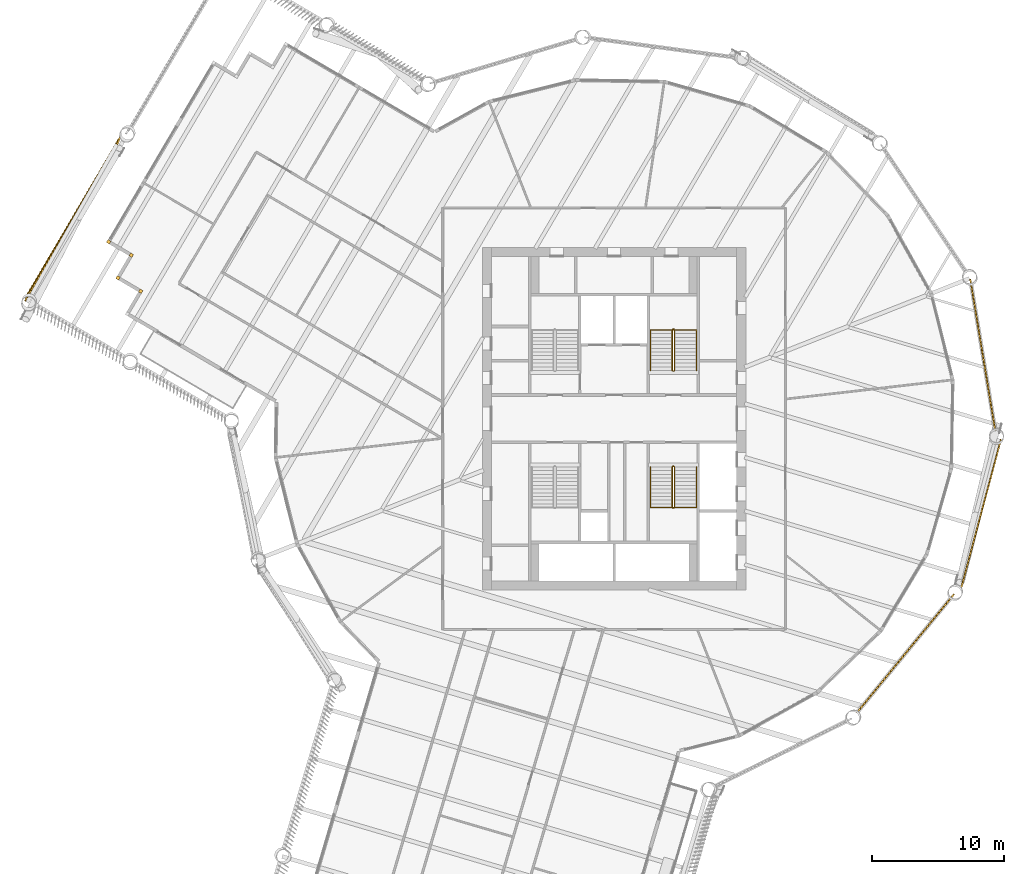
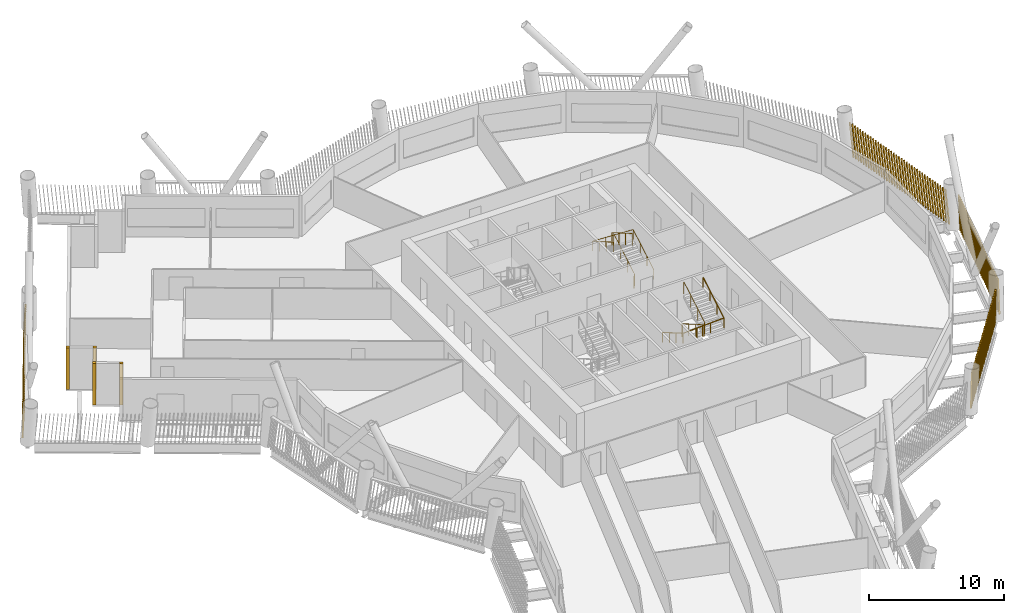
# One storey, part 21 of 23: 8 shading devices, 4 railings.
"""IFC4 building model written with IfcOpenShell, lengths in metres."""

from ifc_helpers import new_model, si_unit, direction, frame, frame_2d, origin, origin_2d, place, context, subcontext, project, spatial, rectangle, circle, composite_profile, extrude, material, type_object, element, save


model = new_model("IFC4")

# Units and contexts
model_context = context("Model", 3, precision=1e-05, world=origin(), true_north=direction((0.0, 1.0)))
body_context = subcontext(model_context, "Body", "Model", "MODEL_VIEW")
ifc_project = project(units=[si_unit("LENGTHUNIT", "METRE"), si_unit("AREAUNIT", "SQUARE_METRE"), si_unit("VOLUMEUNIT", "CUBIC_METRE"), si_unit("PLANEANGLEUNIT", "RADIAN"), si_unit("MASSUNIT", "GRAM", prefix="KILO")], contexts=[model_context])

# Site, building, storey
site_placement = place(None, origin())
site = spatial("IfcSite", under=ifc_project, at=site_placement, CompositionType="ELEMENT")
building_placement = place(site_placement, origin())
building = spatial("IfcBuilding", under=site, at=building_placement, Name="Tarsis Ring Headquarters", CompositionType="ELEMENT")
storey_placement = place(building_placement, frame((0.0, 0.0, 155.39990234375)))
storey = spatial("IfcBuildingStorey", under=building, at=storey_placement, Name="L35", CompositionType="ELEMENT", Elevation=155.39990234375)

# Railings
ifc_material_1 = material(Name="Steel S355", Category="steel")
railing_type_1 = type_object("IfcRailingType", Name="Core stair guard 1100", PredefinedType="GUARDRAIL", material=ifc_material_1)
railing_1_placement = place(storey_placement, frame((4.4599609375, 3.610107421875, 0.0)))
element("IfcRailing", 1, at=railing_1_placement, inside=storey, type_object=railing_type_1, Name="L35 ST2 stair guard 1", PredefinedType="GUARDRAIL", context=body_context, shape_type="SweptSolid", body=[
    extrude(circle(Radius=0.02392578125, at=origin_2d()), frame((0.0, 0.0, 1.076171875), z_axis=(1.0, 0.0, 0.0), x_axis=(0.0, 1.0, 0.0)), (0.0, 0.0, 1.0), 0.080078125),
    extrude(circle(Radius=0.02392578125, at=origin_2d()), frame((0.080078125, 0.0, 1.076171875), z_axis=(0.282336740067, 0.280959487676, 0.917250092119), x_axis=(-0.705375805398, 0.708833529934, 0.0)), (0.0, 0.0, 1.0), 0.17724609375),
    extrude(circle(Radius=0.02392578125, at=origin_2d()), frame((0.130126953125, 0.0498046875, 1.23876953125), z_axis=(0.0, 0.864890721111, 0.501960198159), x_axis=(-1.0, 0.0, 0.0)), (0.0, 0.0, 1.0), 3.561279296875),
    extrude(circle(Radius=0.02392578125, at=origin_2d()), frame((0.130126953125, 3.1298828125, 3.0263671875), z_axis=(-0.707106781187, 0.707106781187, 0.0), x_axis=(-0.707106781187, -0.707106781187, 0.0)), (0.0, 0.0, 1.0), 0.07080078125),
    extrude(circle(Radius=0.02392578125, at=origin_2d()), frame((0.080078125, 3.179931640625, 3.0263671875), z_axis=(-1.0, 0.0, 0.0), x_axis=(0.0, -1.0, 0.0)), (0.0, 0.0, 1.0), 0.080078125),
    extrude(circle(Radius=0.02392578125, at=origin_2d()), frame((0.0, 3.179931640625, 3.0263671875), z_axis=(-0.282583949758, -0.282583949758, 0.916674763849), x_axis=(0.707106781187, -0.707106781187, 0.0)), (0.0, 0.0, 1.0), 0.177001953125),
    extrude(circle(Radius=0.02392578125, at=origin_2d()), frame((-0.050048828125, 3.1298828125, 3.1884765625), z_axis=(0.0, -0.864890721111, 0.501960198159), x_axis=(1.0, 0.0, 0.0)), (0.0, 0.0, 1.0), 3.561279296875),
    extrude(circle(Radius=0.02099609375, at=origin_2d()), origin(), (0.0, 0.0, 1.0), 1.052001953125),
    extrude(circle(Radius=0.02099609375, at=origin_2d()), frame((0.080078125, 0.0, 0.0)), (0.0, 0.0, 1.0), 1.052001953125),
    extrude(circle(Radius=0.02099609375, at=origin_2d()), frame((0.130126953125, 0.0498046875, 0.16259765625)), (0.0, 0.0, 1.0), 1.052001953125),
    extrude(circle(Radius=0.02099609375, at=origin_2d()), frame((0.130126953125, 1.076416015625, 0.758544921875)), (0.0, 0.0, 1.0), 1.052001953125),
    extrude(circle(Radius=0.02099609375, at=origin_2d()), frame((0.130126953125, 2.103271484375, 1.354248046875)), (0.0, 0.0, 1.0), 1.052001953125),
    extrude(circle(Radius=0.02099609375, at=origin_2d()), frame((0.130126953125, 3.1298828125, 1.9501953125)), (0.0, 0.0, 1.0), 1.052001953125),
    extrude(circle(Radius=0.02099609375, at=origin_2d()), frame((0.080078125, 3.179931640625, 1.9501953125)), (0.0, 0.0, 1.0), 1.052001953125),
    extrude(circle(Radius=0.02099609375, at=origin_2d()), frame((0.0, 3.179931640625, 1.9501953125)), (0.0, 0.0, 1.0), 1.052001953125),
    extrude(circle(Radius=0.02099609375, at=origin_2d()), frame((-0.050048828125, 3.1298828125, 2.112548828125)), (0.0, 0.0, 1.0), 1.052001953125),
    extrude(circle(Radius=0.02099609375, at=origin_2d()), frame((-0.050048828125, 2.103271484375, 2.70849609375)), (0.0, 0.0, 1.0), 1.052001953125),
    extrude(circle(Radius=0.02099609375, at=origin_2d()), frame((-0.050048828125, 1.076416015625, 3.30419921875)), (0.0, 0.0, 1.0), 1.052001953125),
    extrude(circle(Radius=0.02099609375, at=origin_2d()), frame((-0.050048828125, 0.0498046875, 3.900146484375)), (0.0, 0.0, 1.0), 1.052001953125),
])
railing_2_placement = place(storey_placement, frame((4.5400390625, -3.610107421875, 0.0)))
element("IfcRailing", 2, at=railing_2_placement, inside=storey, type_object=railing_type_1, Name="L35 ST4 stair guard 1", PredefinedType="GUARDRAIL", context=body_context, shape_type="SweptSolid", body=[
    extrude(circle(Radius=0.02392578125, at=origin_2d()), frame((0.0, 0.0, 1.076171875), z_axis=(-1.0, 0.0, 0.0), x_axis=(0.0, -1.0, 0.0)), (0.0, 0.0, 1.0), 0.080078125),
    extrude(circle(Radius=0.02392578125, at=origin_2d()), frame((-0.080078125, 0.0, 1.076171875), z_axis=(-0.282336740067, -0.280959487676, 0.917250092119), x_axis=(0.705375805398, -0.708833529934, 0.0)), (0.0, 0.0, 1.0), 0.17724609375),
    extrude(circle(Radius=0.02392578125, at=origin_2d()), frame((-0.130126953125, -0.0498046875, 1.23876953125), z_axis=(0.0, -0.864890721111, 0.501960198159), x_axis=(1.0, 0.0, 0.0)), (0.0, 0.0, 1.0), 3.561279296875),
    extrude(circle(Radius=0.02392578125, at=origin_2d()), frame((-0.130126953125, -3.1298828125, 3.0263671875), z_axis=(0.707106781187, -0.707106781187, 0.0), x_axis=(0.707106781187, 0.707106781187, 0.0)), (0.0, 0.0, 1.0), 0.07080078125),
    extrude(circle(Radius=0.02392578125, at=origin_2d()), frame((-0.080078125, -3.179931640625, 3.0263671875), z_axis=(1.0, 0.0, 0.0), x_axis=(0.0, 1.0, 0.0)), (0.0, 0.0, 1.0), 0.080078125),
    extrude(circle(Radius=0.02392578125, at=origin_2d()), frame((0.0, -3.179931640625, 3.0263671875), z_axis=(0.282583949758, 0.282583949758, 0.916674763849), x_axis=(-0.707106781187, 0.707106781187, 0.0)), (0.0, 0.0, 1.0), 0.177001953125),
    extrude(circle(Radius=0.02392578125, at=origin_2d()), frame((0.050048828125, -3.1298828125, 3.1884765625), z_axis=(0.0, 0.864890721111, 0.501960198159), x_axis=(-1.0, 0.0, 0.0)), (0.0, 0.0, 1.0), 3.561279296875),
    extrude(circle(Radius=0.02099609375, at=origin_2d()), origin(), (0.0, 0.0, 1.0), 1.052001953125),
    extrude(circle(Radius=0.02099609375, at=origin_2d()), frame((-0.080078125, 0.0, 0.0)), (0.0, 0.0, 1.0), 1.052001953125),
    extrude(circle(Radius=0.02099609375, at=origin_2d()), frame((-0.130126953125, -0.0498046875, 0.16259765625)), (0.0, 0.0, 1.0), 1.052001953125),
    extrude(circle(Radius=0.02099609375, at=origin_2d()), frame((-0.130126953125, -1.076416015625, 0.758544921875)), (0.0, 0.0, 1.0), 1.052001953125),
    extrude(circle(Radius=0.02099609375, at=origin_2d()), frame((-0.130126953125, -2.103271484375, 1.354248046875)), (0.0, 0.0, 1.0), 1.052001953125),
    extrude(circle(Radius=0.02099609375, at=origin_2d()), frame((-0.130126953125, -3.1298828125, 1.9501953125)), (0.0, 0.0, 1.0), 1.052001953125),
    extrude(circle(Radius=0.02099609375, at=origin_2d()), frame((-0.080078125, -3.179931640625, 1.9501953125)), (0.0, 0.0, 1.0), 1.052001953125),
    extrude(circle(Radius=0.02099609375, at=origin_2d()), frame((0.0, -3.179931640625, 1.9501953125)), (0.0, 0.0, 1.0), 1.052001953125),
    extrude(circle(Radius=0.02099609375, at=origin_2d()), frame((0.050048828125, -3.1298828125, 2.112548828125)), (0.0, 0.0, 1.0), 1.052001953125),
    extrude(circle(Radius=0.02099609375, at=origin_2d()), frame((0.050048828125, -2.103271484375, 2.70849609375)), (0.0, 0.0, 1.0), 1.052001953125),
    extrude(circle(Radius=0.02099609375, at=origin_2d()), frame((0.050048828125, -1.076416015625, 3.30419921875)), (0.0, 0.0, 1.0), 1.052001953125),
    extrude(circle(Radius=0.02099609375, at=origin_2d()), frame((0.050048828125, -0.0498046875, 3.900146484375)), (0.0, 0.0, 1.0), 1.052001953125),
])
railing_type_2 = type_object("IfcRailingType", Name="Core stair handrail 900", PredefinedType="HANDRAIL", material=ifc_material_1)
railing_3_placement = place(storey_placement, frame((6.25, 3.659912109375, 0.16259765625)))
element("IfcRailing", 3, at=railing_3_placement, inside=storey, type_object=railing_type_2, Name="L35 ST2 stair handrail 1", PredefinedType="HANDRAIL", context=body_context, shape_type="SweptSolid", body=[
    extrude(circle(Radius=0.02392578125, at=origin_2d()), frame((0.0, 0.0, 0.8759765625), z_axis=(0.0, 0.864890721111, 0.501960198159), x_axis=(-1.0, 0.0, 0.0)), (0.0, 0.0, 1.0), 3.561279296875),
    extrude(circle(Radius=0.02392578125, at=origin_2d()), frame((0.0, 3.080078125, 2.66357421875), z_axis=(-0.998925869279, 0.0, 0.04633689335), x_axis=(0.0, -1.0, 0.0)), (0.0, 0.0, 1.0), 3.503662109375),
    extrude(circle(Radius=0.02392578125, at=origin_2d()), frame((-3.5, 3.080078125, 2.82568359375), z_axis=(0.0, -0.864890721111, 0.501960198159), x_axis=(1.0, 0.0, 0.0)), (0.0, 0.0, 1.0), 3.561279296875),
    extrude(circle(Radius=0.02099609375, at=origin_2d()), origin(), (0.0, 0.0, 1.0), 0.851806640625),
    extrude(circle(Radius=0.02099609375, at=origin_2d()), frame((0.0, 1.026611328125, 0.595947265625)), (0.0, 0.0, 1.0), 0.851806640625),
    extrude(circle(Radius=0.02099609375, at=origin_2d()), frame((0.0, 2.053466796875, 1.191650390625)), (0.0, 0.0, 1.0), 0.851806640625),
    extrude(circle(Radius=0.02099609375, at=origin_2d()), frame((0.0, 3.080078125, 1.78759765625)), (0.0, 0.0, 1.0), 0.851806640625),
    extrude(circle(Radius=0.02099609375, at=origin_2d()), frame((-1.166748046875, 3.080078125, 1.841796875)), (0.0, 0.0, 1.0), 0.851806640625),
    extrude(circle(Radius=0.02099609375, at=origin_2d()), frame((-2.333251953125, 3.080078125, 1.895751953125)), (0.0, 0.0, 1.0), 0.851806640625),
    extrude(circle(Radius=0.02099609375, at=origin_2d()), frame((-3.5, 3.080078125, 1.949951171875)), (0.0, 0.0, 1.0), 0.851806640625),
    extrude(circle(Radius=0.02099609375, at=origin_2d()), frame((-3.5, 2.053466796875, 2.5458984375)), (0.0, 0.0, 1.0), 0.851806640625),
    extrude(circle(Radius=0.02099609375, at=origin_2d()), frame((-3.5, 1.026611328125, 3.1416015625)), (0.0, 0.0, 1.0), 0.851806640625),
    extrude(circle(Radius=0.02099609375, at=origin_2d()), frame((-3.5, 0.0, 3.737548828125)), (0.0, 0.0, 1.0), 0.851806640625),
])
railing_4_placement = place(storey_placement, frame((2.75, -3.659912109375, 0.16259765625)))
element("IfcRailing", 4, at=railing_4_placement, inside=storey, type_object=railing_type_2, Name="L35 ST4 stair handrail 1", PredefinedType="HANDRAIL", context=body_context, shape_type="SweptSolid", body=[
    extrude(circle(Radius=0.02392578125, at=origin_2d()), frame((0.0, 0.0, 0.8759765625), z_axis=(0.0, -0.864890721111, 0.501960198159), x_axis=(1.0, 0.0, 0.0)), (0.0, 0.0, 1.0), 3.561279296875),
    extrude(circle(Radius=0.02392578125, at=origin_2d()), frame((0.0, -3.080078125, 2.66357421875), z_axis=(0.998925869279, 0.0, 0.04633689335), x_axis=(0.0, 1.0, 0.0)), (0.0, 0.0, 1.0), 3.503662109375),
    extrude(circle(Radius=0.02392578125, at=origin_2d()), frame((3.5, -3.080078125, 2.82568359375), z_axis=(0.0, 0.864890721111, 0.501960198159), x_axis=(-1.0, 0.0, 0.0)), (0.0, 0.0, 1.0), 3.561279296875),
    extrude(circle(Radius=0.02099609375, at=origin_2d()), origin(), (0.0, 0.0, 1.0), 0.851806640625),
    extrude(circle(Radius=0.02099609375, at=origin_2d()), frame((0.0, -1.026611328125, 0.595947265625)), (0.0, 0.0, 1.0), 0.851806640625),
    extrude(circle(Radius=0.02099609375, at=origin_2d()), frame((0.0, -2.053466796875, 1.191650390625)), (0.0, 0.0, 1.0), 0.851806640625),
    extrude(circle(Radius=0.02099609375, at=origin_2d()), frame((0.0, -3.080078125, 1.78759765625)), (0.0, 0.0, 1.0), 0.851806640625),
    extrude(circle(Radius=0.02099609375, at=origin_2d()), frame((1.166748046875, -3.080078125, 1.841796875)), (0.0, 0.0, 1.0), 0.851806640625),
    extrude(circle(Radius=0.02099609375, at=origin_2d()), frame((2.333251953125, -3.080078125, 1.895751953125)), (0.0, 0.0, 1.0), 0.851806640625),
    extrude(circle(Radius=0.02099609375, at=origin_2d()), frame((3.5, -3.080078125, 1.949951171875)), (0.0, 0.0, 1.0), 0.851806640625),
    extrude(circle(Radius=0.02099609375, at=origin_2d()), frame((3.5, -2.053466796875, 2.5458984375)), (0.0, 0.0, 1.0), 0.851806640625),
    extrude(circle(Radius=0.02099609375, at=origin_2d()), frame((3.5, -1.026611328125, 3.1416015625)), (0.0, 0.0, 1.0), 0.851806640625),
    extrude(circle(Radius=0.02099609375, at=origin_2d()), frame((3.5, 0.0, 3.737548828125)), (0.0, 0.0, 1.0), 0.851806640625),
])

# Shading devices
ifc_material_2 = material(Name="Terracotta baguette", Category="masonry")
shading_device_type_1 = type_object("IfcShadingDeviceType", Name="Terracotta baguette screen", PredefinedType="USERDEFINED", material=ifc_material_2)
shading_device_1_placement = place(storey_placement, frame((18.40478515625, -22.3427734375, 0.0), z_axis=(0.0, 0.0, 1.0), x_axis=(0.633619099295, 0.77365165491, 0.0)))
element("IfcShadingDevice", 5, at=shading_device_1_placement, inside=storey, type_object=shading_device_type_1, Name="Baguette screen L35-08", ObjectType="Terracotta baguette screen", PredefinedType="USERDEFINED", context=body_context, shape_type="SweptSolid", body=[
    extrude(composite_profile([rectangle(XDim=0.06005859375, YDim=0.1201171875, at=frame_2d((0.030029296875, 0.0))), rectangle(XDim=0.06005859375, YDim=0.1201171875, at=frame_2d((0.33251953125, 0.0))), rectangle(XDim=0.06005859375, YDim=0.1201171875, at=frame_2d((0.634765625, 0.0))), rectangle(XDim=0.06005859375, YDim=0.1201171875, at=frame_2d((0.937255859375, 0.0))), rectangle(XDim=0.06005859375, YDim=0.1201171875, at=frame_2d((1.239501953125, 0.0))), rectangle(XDim=0.06005859375, YDim=0.1201171875, at=frame_2d((1.5419921875, 0.0))), rectangle(XDim=0.06005859375, YDim=0.1201171875, at=frame_2d((1.844482421875, 0.0))), rectangle(XDim=0.06005859375, YDim=0.1201171875, at=frame_2d((2.146728515625, 0.0))), rectangle(XDim=0.06005859375, YDim=0.1201171875, at=frame_2d((2.44921875, 0.0))), rectangle(XDim=0.06005859375, YDim=0.1201171875, at=frame_2d((2.751708984375, 0.0))), rectangle(XDim=0.06005859375, YDim=0.1201171875, at=frame_2d((3.053955078125, 0.0))), rectangle(XDim=0.06005859375, YDim=0.1201171875, at=frame_2d((3.3564453125, 0.0))), rectangle(XDim=0.06005859375, YDim=0.1201171875, at=frame_2d((3.65869140625, 0.0))), rectangle(XDim=0.06005859375, YDim=0.1201171875, at=frame_2d((3.961181640625, 0.0))), rectangle(XDim=0.06005859375, YDim=0.1201171875, at=frame_2d((4.263671875, 0.0))), rectangle(XDim=0.06005859375, YDim=0.1201171875, at=frame_2d((4.56591796875, 0.0))), rectangle(XDim=0.06005859375, YDim=0.1201171875, at=frame_2d((4.868408203125, 0.0))), rectangle(XDim=0.06005859375, YDim=0.1201171875, at=frame_2d((5.1708984375, 0.0))), rectangle(XDim=0.06005859375, YDim=0.1201171875, at=frame_2d((5.47314453125, 0.0))), rectangle(XDim=0.06005859375, YDim=0.1201171875, at=frame_2d((5.775634765625, 0.0))), rectangle(XDim=0.06005859375, YDim=0.1201171875, at=frame_2d((6.077880859375, 0.0))), rectangle(XDim=0.06005859375, YDim=0.1201171875, at=frame_2d((6.38037109375, 0.0))), rectangle(XDim=0.06005859375, YDim=0.1201171875, at=frame_2d((6.682861328125, 0.0))), rectangle(XDim=0.06005859375, YDim=0.1201171875, at=frame_2d((6.985107421875, 0.0))), rectangle(XDim=0.06005859375, YDim=0.1201171875, at=frame_2d((7.28759765625, 0.0))), rectangle(XDim=0.06005859375, YDim=0.1201171875, at=frame_2d((7.590087890625, 0.0))), rectangle(XDim=0.06005859375, YDim=0.1201171875, at=frame_2d((7.892333984375, 0.0))), rectangle(XDim=0.06005859375, YDim=0.1201171875, at=frame_2d((8.19482421875, 0.0))), rectangle(XDim=0.06005859375, YDim=0.1201171875, at=frame_2d((8.4970703125, 0.0))), rectangle(XDim=0.06005859375, YDim=0.1201171875, at=frame_2d((8.799560546875, 0.0))), rectangle(XDim=0.06005859375, YDim=0.1201171875, at=frame_2d((9.10205078125, 0.0))), rectangle(XDim=0.06005859375, YDim=0.1201171875, at=frame_2d((9.404296875, 0.0))), rectangle(XDim=0.06005859375, YDim=0.1201171875, at=frame_2d((9.706787109375, 0.0))), rectangle(XDim=0.06005859375, YDim=0.1201171875, at=frame_2d((10.00927734375, 0.0))), rectangle(XDim=0.06005859375, YDim=0.1201171875, at=frame_2d((10.3115234375, 0.0))), rectangle(XDim=0.06005859375, YDim=0.1201171875, at=frame_2d((10.614013671875, 0.0))), rectangle(XDim=0.06005859375, YDim=0.1201171875, at=frame_2d((10.916259765625, 0.0))), rectangle(XDim=0.06005859375, YDim=0.1201171875, at=frame_2d((11.21875, 0.0)))]), origin(), (0.149484467635, 0.001177053842, 0.988763373351), 2.983642578125),
])
shading_device_2_placement = place(storey_placement, frame((26.34033203125, -12.8671875, 0.0), z_axis=(0.0, 0.0, 1.0), x_axis=(0.258377463321, 0.966034377984, 0.0)))
element("IfcShadingDevice", 6, at=shading_device_2_placement, inside=storey, type_object=shading_device_type_1, Name="Baguette screen L35-09", ObjectType="Terracotta baguette screen", PredefinedType="USERDEFINED", context=body_context, shape_type="SweptSolid", body=[
    extrude(composite_profile([rectangle(XDim=0.06005859375, YDim=0.1201171875, at=frame_2d((0.030029296875, 0.0))), rectangle(XDim=0.06005859375, YDim=0.1201171875, at=frame_2d((0.33251953125, 0.0))), rectangle(XDim=0.06005859375, YDim=0.1201171875, at=frame_2d((0.634765625, 0.0))), rectangle(XDim=0.06005859375, YDim=0.1201171875, at=frame_2d((0.937255859375, 0.0))), rectangle(XDim=0.06005859375, YDim=0.1201171875, at=frame_2d((1.239501953125, 0.0))), rectangle(XDim=0.06005859375, YDim=0.1201171875, at=frame_2d((1.5419921875, 0.0))), rectangle(XDim=0.06005859375, YDim=0.1201171875, at=frame_2d((1.844482421875, 0.0))), rectangle(XDim=0.06005859375, YDim=0.1201171875, at=frame_2d((2.146728515625, 0.0))), rectangle(XDim=0.06005859375, YDim=0.1201171875, at=frame_2d((2.44921875, 0.0))), rectangle(XDim=0.06005859375, YDim=0.1201171875, at=frame_2d((2.751708984375, 0.0))), rectangle(XDim=0.06005859375, YDim=0.1201171875, at=frame_2d((3.053955078125, 0.0))), rectangle(XDim=0.06005859375, YDim=0.1201171875, at=frame_2d((3.3564453125, 0.0))), rectangle(XDim=0.06005859375, YDim=0.1201171875, at=frame_2d((3.65869140625, 0.0))), rectangle(XDim=0.06005859375, YDim=0.1201171875, at=frame_2d((3.961181640625, 0.0))), rectangle(XDim=0.06005859375, YDim=0.1201171875, at=frame_2d((4.263671875, 0.0))), rectangle(XDim=0.06005859375, YDim=0.1201171875, at=frame_2d((4.56591796875, 0.0))), rectangle(XDim=0.06005859375, YDim=0.1201171875, at=frame_2d((4.868408203125, 0.0))), rectangle(XDim=0.06005859375, YDim=0.1201171875, at=frame_2d((5.1708984375, 0.0))), rectangle(XDim=0.06005859375, YDim=0.1201171875, at=frame_2d((5.47314453125, 0.0))), rectangle(XDim=0.06005859375, YDim=0.1201171875, at=frame_2d((5.775634765625, 0.0))), rectangle(XDim=0.06005859375, YDim=0.1201171875, at=frame_2d((6.077880859375, 0.0))), rectangle(XDim=0.06005859375, YDim=0.1201171875, at=frame_2d((6.38037109375, 0.0))), rectangle(XDim=0.06005859375, YDim=0.1201171875, at=frame_2d((6.682861328125, 0.0))), rectangle(XDim=0.06005859375, YDim=0.1201171875, at=frame_2d((6.985107421875, 0.0))), rectangle(XDim=0.06005859375, YDim=0.1201171875, at=frame_2d((7.28759765625, 0.0))), rectangle(XDim=0.06005859375, YDim=0.1201171875, at=frame_2d((7.590087890625, 0.0))), rectangle(XDim=0.06005859375, YDim=0.1201171875, at=frame_2d((7.892333984375, 0.0))), rectangle(XDim=0.06005859375, YDim=0.1201171875, at=frame_2d((8.19482421875, 0.0))), rectangle(XDim=0.06005859375, YDim=0.1201171875, at=frame_2d((8.4970703125, 0.0))), rectangle(XDim=0.06005859375, YDim=0.1201171875, at=frame_2d((8.799560546875, 0.0))), rectangle(XDim=0.06005859375, YDim=0.1201171875, at=frame_2d((9.10205078125, 0.0))), rectangle(XDim=0.06005859375, YDim=0.1201171875, at=frame_2d((9.404296875, 0.0))), rectangle(XDim=0.06005859375, YDim=0.1201171875, at=frame_2d((9.706787109375, 0.0))), rectangle(XDim=0.06005859375, YDim=0.1201171875, at=frame_2d((10.00927734375, 0.0))), rectangle(XDim=0.06005859375, YDim=0.1201171875, at=frame_2d((10.3115234375, 0.0))), rectangle(XDim=0.06005859375, YDim=0.1201171875, at=frame_2d((10.614013671875, 0.0))), rectangle(XDim=0.06005859375, YDim=0.1201171875, at=frame_2d((10.916259765625, 0.0))), rectangle(XDim=0.06005859375, YDim=0.1201171875, at=frame_2d((11.21875, 0.0)))]), origin(), (0.151411423932, 0.001189581029, 0.98847011366), 2.984619140625),
])
shading_device_3_placement = place(storey_placement, frame((28.932373046875, -0.927001953125, 0.0), z_axis=(0.0, 0.0, 1.0), x_axis=(-0.162774546402, 0.986652487195, 0.0)))
element("IfcShadingDevice", 7, at=shading_device_3_placement, inside=storey, type_object=shading_device_type_1, Name="Baguette screen L35-10", ObjectType="Terracotta baguette screen", PredefinedType="USERDEFINED", context=body_context, shape_type="SweptSolid", body=[
    extrude(composite_profile([rectangle(XDim=0.06005859375, YDim=0.1201171875, at=frame_2d((0.030029296875, 0.0))), rectangle(XDim=0.06005859375, YDim=0.1201171875, at=frame_2d((0.33251953125, 0.0))), rectangle(XDim=0.06005859375, YDim=0.1201171875, at=frame_2d((0.634765625, 0.0))), rectangle(XDim=0.06005859375, YDim=0.1201171875, at=frame_2d((0.937255859375, 0.0))), rectangle(XDim=0.06005859375, YDim=0.1201171875, at=frame_2d((1.239501953125, 0.0))), rectangle(XDim=0.06005859375, YDim=0.1201171875, at=frame_2d((1.5419921875, 0.0))), rectangle(XDim=0.06005859375, YDim=0.1201171875, at=frame_2d((1.844482421875, 0.0))), rectangle(XDim=0.06005859375, YDim=0.1201171875, at=frame_2d((2.146728515625, 0.0))), rectangle(XDim=0.06005859375, YDim=0.1201171875, at=frame_2d((2.44921875, 0.0))), rectangle(XDim=0.06005859375, YDim=0.1201171875, at=frame_2d((2.751708984375, 0.0))), rectangle(XDim=0.06005859375, YDim=0.1201171875, at=frame_2d((3.053955078125, 0.0))), rectangle(XDim=0.06005859375, YDim=0.1201171875, at=frame_2d((3.3564453125, 0.0))), rectangle(XDim=0.06005859375, YDim=0.1201171875, at=frame_2d((3.65869140625, 0.0))), rectangle(XDim=0.06005859375, YDim=0.1201171875, at=frame_2d((3.961181640625, 0.0))), rectangle(XDim=0.06005859375, YDim=0.1201171875, at=frame_2d((4.263671875, 0.0))), rectangle(XDim=0.06005859375, YDim=0.1201171875, at=frame_2d((4.56591796875, 0.0))), rectangle(XDim=0.06005859375, YDim=0.1201171875, at=frame_2d((4.868408203125, 0.0))), rectangle(XDim=0.06005859375, YDim=0.1201171875, at=frame_2d((5.1708984375, 0.0))), rectangle(XDim=0.06005859375, YDim=0.1201171875, at=frame_2d((5.47314453125, 0.0))), rectangle(XDim=0.06005859375, YDim=0.1201171875, at=frame_2d((5.775634765625, 0.0))), rectangle(XDim=0.06005859375, YDim=0.1201171875, at=frame_2d((6.077880859375, 0.0))), rectangle(XDim=0.06005859375, YDim=0.1201171875, at=frame_2d((6.38037109375, 0.0))), rectangle(XDim=0.06005859375, YDim=0.1201171875, at=frame_2d((6.682861328125, 0.0))), rectangle(XDim=0.06005859375, YDim=0.1201171875, at=frame_2d((6.985107421875, 0.0))), rectangle(XDim=0.06005859375, YDim=0.1201171875, at=frame_2d((7.28759765625, 0.0))), rectangle(XDim=0.06005859375, YDim=0.1201171875, at=frame_2d((7.590087890625, 0.0))), rectangle(XDim=0.06005859375, YDim=0.1201171875, at=frame_2d((7.892333984375, 0.0))), rectangle(XDim=0.06005859375, YDim=0.1201171875, at=frame_2d((8.19482421875, 0.0))), rectangle(XDim=0.06005859375, YDim=0.1201171875, at=frame_2d((8.4970703125, 0.0))), rectangle(XDim=0.06005859375, YDim=0.1201171875, at=frame_2d((8.799560546875, 0.0))), rectangle(XDim=0.06005859375, YDim=0.1201171875, at=frame_2d((9.10205078125, 0.0))), rectangle(XDim=0.06005859375, YDim=0.1201171875, at=frame_2d((9.404296875, 0.0))), rectangle(XDim=0.06005859375, YDim=0.1201171875, at=frame_2d((9.706787109375, 0.0))), rectangle(XDim=0.06005859375, YDim=0.1201171875, at=frame_2d((10.00927734375, 0.0))), rectangle(XDim=0.06005859375, YDim=0.1201171875, at=frame_2d((10.3115234375, 0.0))), rectangle(XDim=0.06005859375, YDim=0.1201171875, at=frame_2d((10.614013671875, 0.0))), rectangle(XDim=0.06005859375, YDim=0.1201171875, at=frame_2d((10.916259765625, 0.0))), rectangle(XDim=0.06005859375, YDim=0.1201171875, at=frame_2d((11.21875, 0.0)))]), origin(), (0.149482048065, 0.001175603778, 0.988763740871), 2.983642578125),
])
shading_device_4_placement = place(storey_placement, frame((-37.469482421875, 21.4560546875, 0.0), z_axis=(0.0, 0.0, 1.0), x_axis=(-0.506934861833, -0.861975020345, 0.0)))
element("IfcShadingDevice", 8, at=shading_device_4_placement, inside=storey, type_object=shading_device_type_1, Name="Baguette screen L35-18", ObjectType="Terracotta baguette screen", PredefinedType="USERDEFINED", context=body_context, shape_type="SweptSolid", body=[
    extrude(composite_profile([rectangle(XDim=0.06005859375, YDim=0.1201171875, at=frame_2d((0.030029296875, 0.0))), rectangle(XDim=0.06005859375, YDim=0.1201171875, at=frame_2d((0.33544921875, 0.0))), rectangle(XDim=0.06005859375, YDim=0.1201171875, at=frame_2d((0.640625, 0.0))), rectangle(XDim=0.06005859375, YDim=0.1201171875, at=frame_2d((0.946044921875, 0.0))), rectangle(XDim=0.06005859375, YDim=0.1201171875, at=frame_2d((1.25146484375, 0.0))), rectangle(XDim=0.06005859375, YDim=0.1201171875, at=frame_2d((1.556640625, 0.0))), rectangle(XDim=0.06005859375, YDim=0.1201171875, at=frame_2d((1.862060546875, 0.0))), rectangle(XDim=0.06005859375, YDim=0.1201171875, at=frame_2d((2.16748046875, 0.0))), rectangle(XDim=0.06005859375, YDim=0.1201171875, at=frame_2d((2.47265625, 0.0))), rectangle(XDim=0.06005859375, YDim=0.1201171875, at=frame_2d((2.778076171875, 0.0))), rectangle(XDim=0.06005859375, YDim=0.1201171875, at=frame_2d((3.08349609375, 0.0))), rectangle(XDim=0.06005859375, YDim=0.1201171875, at=frame_2d((3.388671875, 0.0))), rectangle(XDim=0.06005859375, YDim=0.1201171875, at=frame_2d((3.694091796875, 0.0))), rectangle(XDim=0.06005859375, YDim=0.1201171875, at=frame_2d((3.99951171875, 0.0))), rectangle(XDim=0.06005859375, YDim=0.1201171875, at=frame_2d((4.3046875, 0.0))), rectangle(XDim=0.06005859375, YDim=0.1201171875, at=frame_2d((4.610107421875, 0.0))), rectangle(XDim=0.06005859375, YDim=0.1201171875, at=frame_2d((4.91552734375, 0.0))), rectangle(XDim=0.06005859375, YDim=0.1201171875, at=frame_2d((5.220703125, 0.0))), rectangle(XDim=0.06005859375, YDim=0.1201171875, at=frame_2d((5.526123046875, 0.0))), rectangle(XDim=0.06005859375, YDim=0.1201171875, at=frame_2d((5.83154296875, 0.0))), rectangle(XDim=0.06005859375, YDim=0.1201171875, at=frame_2d((6.13671875, 0.0))), rectangle(XDim=0.06005859375, YDim=0.1201171875, at=frame_2d((6.442138671875, 0.0))), rectangle(XDim=0.06005859375, YDim=0.1201171875, at=frame_2d((6.74755859375, 0.0))), rectangle(XDim=0.06005859375, YDim=0.1201171875, at=frame_2d((7.052734375, 0.0))), rectangle(XDim=0.06005859375, YDim=0.1201171875, at=frame_2d((7.358154296875, 0.0))), rectangle(XDim=0.06005859375, YDim=0.1201171875, at=frame_2d((7.66357421875, 0.0))), rectangle(XDim=0.06005859375, YDim=0.1201171875, at=frame_2d((7.96875, 0.0))), rectangle(XDim=0.06005859375, YDim=0.1201171875, at=frame_2d((8.274169921875, 0.0))), rectangle(XDim=0.06005859375, YDim=0.1201171875, at=frame_2d((8.57958984375, 0.0))), rectangle(XDim=0.06005859375, YDim=0.1201171875, at=frame_2d((8.884765625, 0.0))), rectangle(XDim=0.06005859375, YDim=0.1201171875, at=frame_2d((9.190185546875, 0.0))), rectangle(XDim=0.06005859375, YDim=0.1201171875, at=frame_2d((9.49560546875, 0.0))), rectangle(XDim=0.06005859375, YDim=0.1201171875, at=frame_2d((9.80078125, 0.0))), rectangle(XDim=0.06005859375, YDim=0.1201171875, at=frame_2d((10.106201171875, 0.0))), rectangle(XDim=0.06005859375, YDim=0.1201171875, at=frame_2d((10.41162109375, 0.0))), rectangle(XDim=0.06005859375, YDim=0.1201171875, at=frame_2d((10.716796875, 0.0))), rectangle(XDim=0.06005859375, YDim=0.1201171875, at=frame_2d((11.022216796875, 0.0))), rectangle(XDim=0.06005859375, YDim=0.1201171875, at=frame_2d((11.32763671875, 0.0))), rectangle(XDim=0.06005859375, YDim=0.1201171875, at=frame_2d((11.6328125, 0.0))), rectangle(XDim=0.06005859375, YDim=0.1201171875, at=frame_2d((11.938232421875, 0.0))), rectangle(XDim=0.06005859375, YDim=0.1201171875, at=frame_2d((12.24365234375, 0.0))), rectangle(XDim=0.06005859375, YDim=0.1201171875, at=frame_2d((12.548828125, 0.0))), rectangle(XDim=0.06005859375, YDim=0.1201171875, at=frame_2d((12.854248046875, 0.0))), rectangle(XDim=0.06005859375, YDim=0.1201171875, at=frame_2d((13.15966796875, 0.0))), rectangle(XDim=0.06005859375, YDim=0.1201171875, at=frame_2d((13.46484375, 0.0))), rectangle(XDim=0.06005859375, YDim=0.1201171875, at=frame_2d((13.770263671875, 0.0)))]), origin(), (0.223559478443, 0.040127552743, 0.973863922275), 3.029296875),
])
shading_device_type_2 = type_object("IfcShadingDeviceType", Name="Terracotta corner baguette 250x250", PredefinedType="USERDEFINED", material=ifc_material_2)
for number, where, z_axis, x_axis, name in (
    (9, (-38.36376953125, 13.426025390625, 0.0), (0.0, 0.0, 1.0), (-0.506936678605, -0.861983296755, 0.0), "Corner baguette L35-37"),
    (10, (-36.6396484375, 12.412109375, 0.0), (0.0, 0.0, 1.0), (0.861983429471, -0.506936452939, 0.0), "Corner baguette L35-38"),
    (11, (-37.653564453125, 10.688232421875, 0.0), (0.0, 0.0, 1.0), (-0.50693682905, -0.861983208278, 0.0), "Corner baguette L35-39"),
    (12, (-35.9296875, 9.67431640625, 0.0), (0.0, 0.0, 1.0), (0.861983208278, -0.50693682905, 0.0), "Corner baguette L35-40"),
):
    element("IfcShadingDevice", number, at=place(storey_placement, frame(where, z_axis=z_axis, x_axis=x_axis)), inside=storey, type_object=shading_device_type_2, Name=name, ObjectType="Terracotta corner baguette", PredefinedType="USERDEFINED", context=body_context, shape_type="SweptSolid", body=[
        extrude(rectangle(XDim=0.25, YDim=0.25, at=origin_2d()), origin(), (0.0, 0.0, 1.0), 3.739990234375),
    ])

save(model, "model.ifc")
